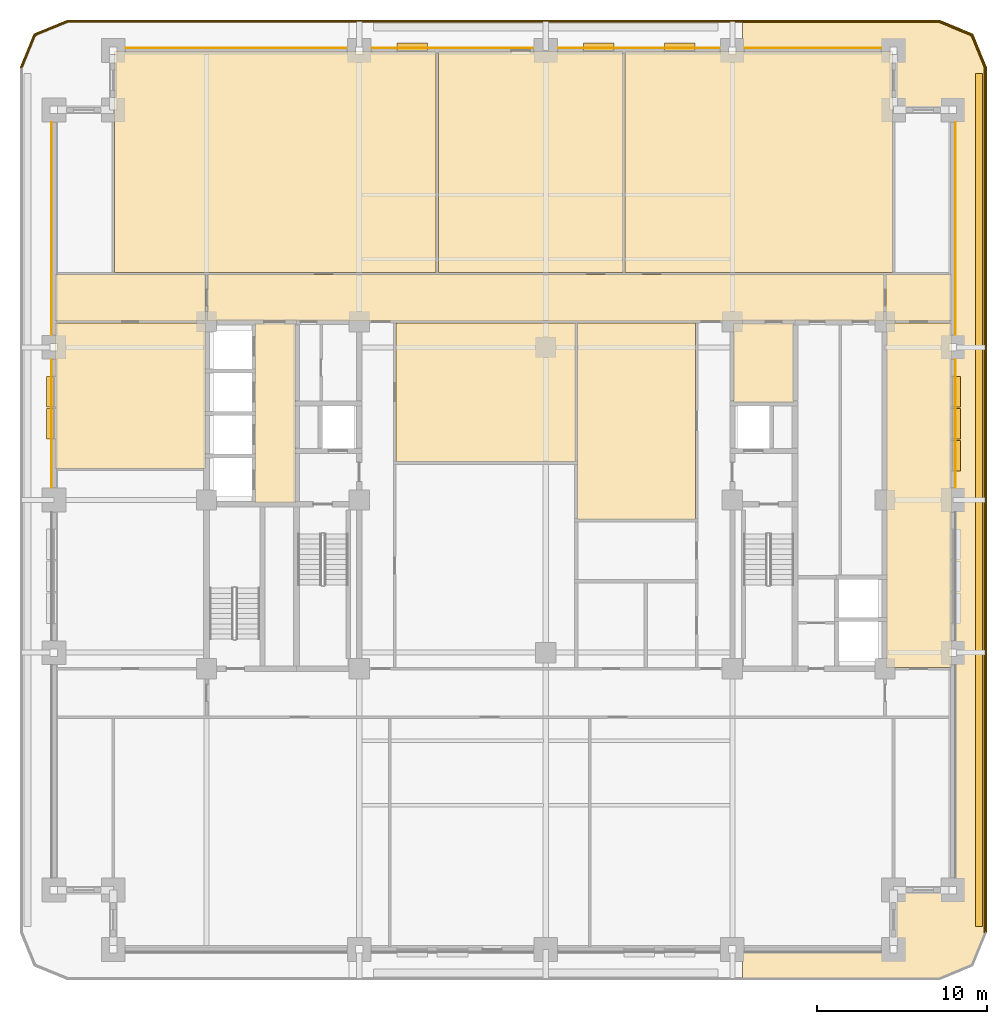
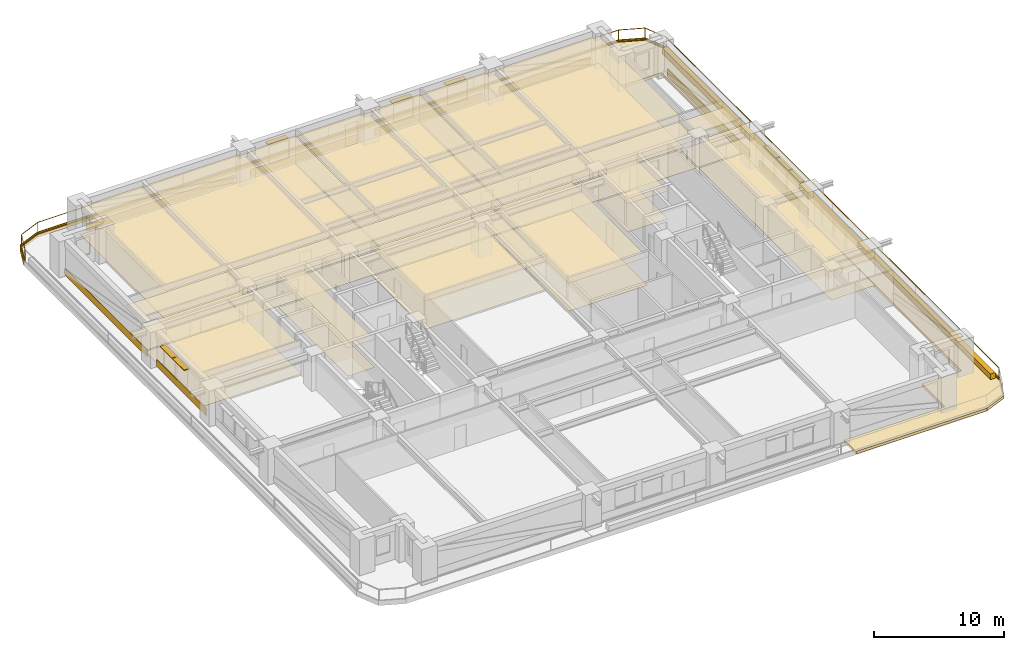
# One storey, part 14 of 14: 40 coverings, 8 shading devices, 2 railings.
"""IFC4 building model written with IfcOpenShell, lengths in metres."""

from ifc_helpers import new_model, si_unit, direction, frame, frame_2d, origin, origin_2d, place, context, subcontext, project, spatial, polyline, rectangle, outline, extrude, material, layer, layer_set, type_object, element, save


model = new_model("IFC4")

# Units and contexts
model_context = context("Model", 3, precision=1e-05, world=origin(), true_north=direction((0.0, 1.0)))
body_context = subcontext(model_context, "Body", "Model", "MODEL_VIEW")
ifc_project = project(units=[si_unit("LENGTHUNIT", "METRE"), si_unit("AREAUNIT", "SQUARE_METRE"), si_unit("VOLUMEUNIT", "CUBIC_METRE"), si_unit("PLANEANGLEUNIT", "RADIAN"), si_unit("MASSUNIT", "GRAM", prefix="KILO")], contexts=[model_context])

# Site, building, storey
site_placement = place(None, origin())
site = spatial("IfcSite", under=ifc_project, at=site_placement, CompositionType="ELEMENT")
building_placement = place(site_placement, origin())
building = spatial("IfcBuilding", under=site, at=building_placement, Name="Zulmaris Gate Convention Tower", CompositionType="ELEMENT")
storey_placement = place(building_placement, frame((0.0, 0.0, 64.329833984375)))
storey = spatial("IfcBuildingStorey", under=building, at=storey_placement, Name="L15", CompositionType="ELEMENT", Elevation=64.329833984375)

# Coverings
ifc_material_1 = material(Name="Precast concrete C40/50", Category="concrete")
ifc_layer_1 = layer(ifc_material_1, 0.0400390625, Name="Precast concrete C40/50")
ifc_layer_set_1 = layer_set([ifc_layer_1], Name="Precast concrete C40/50")
covering_type_1 = type_object("IfcCoveringType", Name="CLAD-SPANDREL-PRECAST", PredefinedType="CLADDING", material=ifc_layer_set_1)
covering_1_placement = place(storey_placement, frame((-11.72998046875, 26.64990234375, 0.0), z_axis=(0.0, 0.0, 1.0), x_axis=(-1.0, 0.0, 0.0)))
element("IfcCovering", 1, at=covering_1_placement, inside=storey, type_object=covering_type_1, Name="CLD-L15-N-0_0", PredefinedType="CLADDING", context=body_context, shape_type="SweptSolid", body=[
    extrude(rectangle(XDim=13.0400390625, YDim=0.0400390625, at=frame_2d((6.52001953125, 0.0))), origin(), (0.0, 0.0, 1.0), 0.679931640625),
])
for number, where, z_axis, x_axis, name in (
    (2, (-0.72998046875, 26.64990234375, 0.0), (0.0, 0.0, 1.0), (-1.0, 0.0, 0.0), "CLD-L15-N-1_0"),
    (3, (10.27001953125, 26.64990234375, 0.0), (0.0, 0.0, 1.0), (-1.0, 0.0, 0.0), "CLD-L15-N-2_0"),
):
    element("IfcCovering", number, at=place(storey_placement, frame(where, z_axis=z_axis, x_axis=x_axis)), inside=storey, type_object=covering_type_1, Name=name, PredefinedType="CLADDING", context=body_context, shape_type="SweptSolid", body=[
        extrude(rectangle(XDim=9.5400390625, YDim=0.0400390625, at=frame_2d((4.77001953125, 0.0))), origin(), (0.0, 0.0, 1.0), 0.679931640625),
    ])
covering_2_placement = place(storey_placement, frame((19.77001953125, 26.64990234375, 0.0), z_axis=(0.0, 0.0, 1.0), x_axis=(-1.0, 0.0, 0.0)))
element("IfcCovering", 4, at=covering_2_placement, inside=storey, type_object=covering_type_1, Name="CLD-L15-N-3_0", PredefinedType="CLADDING", context=body_context, shape_type="SweptSolid", body=[
    extrude(rectangle(XDim=8.0400390625, YDim=0.0400390625, at=frame_2d((4.02001953125, 0.0))), origin(), (0.0, 0.0, 1.0), 0.679931640625),
])
covering_3_placement = place(storey_placement, frame((24.14990234375, 0.72998046875, 0.0), z_axis=(0.0, 0.0, 1.0), x_axis=(0.0, 1.0, 0.0)))
element("IfcCovering", 5, at=covering_3_placement, inside=storey, type_object=covering_type_1, Name="CLD-L15-E-2_0", PredefinedType="CLADDING", context=body_context, shape_type="SweptSolid", body=[
    extrude(rectangle(XDim=7.5400390625, YDim=0.0400390625, at=frame_2d((3.77001953125, 0.0))), origin(), (0.0, 0.0, 1.0), 0.679931640625),
])
covering_4_placement = place(storey_placement, frame((24.14990234375, 9.72998046875, 0.0), z_axis=(0.0, 0.0, 1.0), x_axis=(0.0, 1.0, 0.0)))
element("IfcCovering", 6, at=covering_4_placement, inside=storey, type_object=covering_type_1, Name="CLD-L15-E-3_0", PredefinedType="CLADDING", context=body_context, shape_type="SweptSolid", body=[
    extrude(rectangle(XDim=12.5400390625, YDim=0.0400390625, at=frame_2d((6.27001953125, 0.0))), origin(), (0.0, 0.0, 1.0), 0.679931640625),
])
covering_5_placement = place(storey_placement, frame((-29.14990234375, 8.27001953125, 0.0), z_axis=(0.0, 0.0, 1.0), x_axis=(0.0, -1.0, 0.0)))
element("IfcCovering", 7, at=covering_5_placement, inside=storey, type_object=covering_type_1, Name="CLD-L15-W-2_0", PredefinedType="CLADDING", context=body_context, shape_type="SweptSolid", body=[
    extrude(rectangle(XDim=7.5400390625, YDim=0.0400390625, at=frame_2d((3.77001953125, 0.0))), origin(), (0.0, 0.0, 1.0), 0.679931640625),
])
covering_6_placement = place(storey_placement, frame((-29.14990234375, 22.27001953125, 0.0), z_axis=(0.0, 0.0, 1.0), x_axis=(0.0, -1.0, 0.0)))
element("IfcCovering", 8, at=covering_6_placement, inside=storey, type_object=covering_type_1, Name="CLD-L15-W-3_0", PredefinedType="CLADDING", context=body_context, shape_type="SweptSolid", body=[
    extrude(rectangle(XDim=12.5400390625, YDim=0.0400390625, at=frame_2d((6.27001953125, 0.0))), origin(), (0.0, 0.0, 1.0), 0.679931640625),
])
ifc_material_2 = material(Name="White Glazed Architectural Precast Concrete C40/50", Category="concrete")
ifc_layer_2 = layer(ifc_material_2, 0.239990234375, Name="White Glazed Architectural Precast Concrete C40/50")
ifc_layer_set_2 = layer_set([ifc_layer_2], Name="White Glazed Architectural Precast Concrete C40/50")
covering_type_2 = type_object("IfcCoveringType", Name="CLAD-TRAY-DECK", PredefinedType="CLADDING", material=ifc_layer_set_2)
covering_7_placement = place(storey_placement, frame((0.0, 0.0, -0.300048828125)))
element("IfcCovering", 9, at=covering_7_placement, inside=storey, type_object=covering_type_2, Name="L15 East Rounded-Fascia Planter Tray Deck", PredefinedType="CLADDING", context=body_context, shape_type="SweptSolid", body=[
    extrude(outline(polyline([(23.199951171875, 28.300048828125), (25.179931640625, 27.47998046875), (26.0, 25.5), (26.0, -25.5), (25.179931640625, -27.47998046875), (23.199951171875, -28.300048828125), (11.60205078125, -28.300048828125), (11.60205078125, -26.5), (20.5, -26.5), (20.5, -23.0), (24.0, -23.0), (24.0, 23.0), (20.5, 23.0), (20.5, 26.5), (11.60205078125, 26.5), (11.60205078125, 28.300048828125), (23.199951171875, 28.300048828125)])), origin(), (0.0, 0.0, 1.0), 0.260009765625),
])
ifc_layer_3 = layer(ifc_material_2, 0.080078125, Name="White Glazed Architectural Precast Concrete C40/50")
ifc_layer_set_3 = layer_set([ifc_layer_3], Name="White Glazed Architectural Precast Concrete C40/50")
covering_type_3 = type_object("IfcCoveringType", Name="CLAD-TRAY-FASCIA", PredefinedType="CLADDING", material=ifc_layer_set_3)
covering_8_placement = place(storey_placement, frame((25.9599609375, -25.5, -0.340087890625), z_axis=(0.0, 0.0, 1.0), x_axis=(0.0, 1.0, 0.0)))
element("IfcCovering", 10, at=covering_8_placement, inside=storey, type_object=covering_type_3, Name="FSC-L15-TR-05", PredefinedType="CLADDING", context=body_context, shape_type="SweptSolid", body=[
    extrude(rectangle(XDim=51.0, YDim=0.080078125, at=frame_2d((25.5, 0.0))), origin(), (0.0, 0.0, 1.0), 0.4599609375),
])
covering_9_placement = place(storey_placement, frame((25.962890625, 25.484619140625, -0.340087890625), z_axis=(0.0, 0.0, 1.0), x_axis=(-0.382656984709, 0.923890487046, 0.0)))
element("IfcCovering", 11, at=covering_9_placement, inside=storey, type_object=covering_type_3, Name="FSC-L15-TR-06", PredefinedType="CLADDING", context=body_context, shape_type="SweptSolid", body=[
    extrude(rectangle(XDim=2.14306640625, YDim=0.080078125, at=frame_2d((1.071533203125, 0.0))), origin(), (0.0, 0.0, 1.0), 0.4599609375),
])
covering_10_placement = place(storey_placement, frame((25.16455078125, 27.44287109375, -0.340087890625), z_axis=(0.0, 0.0, 1.0), x_axis=(-0.923873803533, 0.382697263049, 0.0)))
element("IfcCovering", 12, at=covering_10_placement, inside=storey, type_object=covering_type_3, Name="FSC-L15-TR-07", PredefinedType="CLADDING", context=body_context, shape_type="SweptSolid", body=[
    extrude(rectangle(XDim=2.142822265625, YDim=0.080078125, at=frame_2d((1.0712890625, 0.0))), origin(), (0.0, 0.0, 1.0), 0.4599609375),
])
covering_11_placement = place(storey_placement, frame((23.199951171875, 28.260009765625, -0.340087890625), z_axis=(0.0, 0.0, 1.0), x_axis=(-1.0, 0.0, 0.0)))
element("IfcCovering", 13, at=covering_11_placement, inside=storey, type_object=covering_type_3, Name="FSC-L15-TR-08", PredefinedType="CLADDING", context=body_context, shape_type="SweptSolid", body=[
    extrude(rectangle(XDim=51.39990234375, YDim=0.080078125, at=frame_2d((25.699951171875, 0.0))), origin(), (0.0, 0.0, 1.0), 0.4599609375),
])
covering_12_placement = place(storey_placement, frame((-28.184814453125, 28.262939453125, -0.340087890625), z_axis=(0.0, 0.0, 1.0), x_axis=(-0.923873803533, -0.382697263049, 0.0)))
element("IfcCovering", 14, at=covering_12_placement, inside=storey, type_object=covering_type_3, Name="FSC-L15-TR-09", PredefinedType="CLADDING", context=body_context, shape_type="SweptSolid", body=[
    extrude(rectangle(XDim=2.142822265625, YDim=0.080078125, at=frame_2d((1.0712890625, 0.0))), origin(), (0.0, 0.0, 1.0), 0.4599609375),
])
covering_13_placement = place(storey_placement, frame((-30.142822265625, 27.464599609375, -0.340087890625), z_axis=(0.0, 0.0, 1.0), x_axis=(-0.382656984709, -0.923890487046, 0.0)))
element("IfcCovering", 15, at=covering_13_placement, inside=storey, type_object=covering_type_3, Name="FSC-L15-TR-10", PredefinedType="CLADDING", context=body_context, shape_type="SweptSolid", body=[
    extrude(rectangle(XDim=2.14306640625, YDim=0.080078125, at=frame_2d((1.071533203125, 0.0))), origin(), (0.0, 0.0, 1.0), 0.4599609375),
])
ifc_material_3 = material(Name="Mineral Fibre Acoustic Ceiling Tile")
ifc_layer_4 = layer(ifc_material_3, 0.02001953125, Name="Mineral Fibre Acoustic Ceiling Tile")
ifc_layer_set_4 = layer_set([ifc_layer_4], Name="Mineral Fibre Acoustic Ceiling Tile")
covering_type_4 = type_object("IfcCoveringType", Name="CLG-ACOUSTIC-600", PredefinedType="CEILING", material=ifc_layer_set_4)
covering_14_placement = place(storey_placement, frame((0.0, 0.0, 2.628173828125)))
element("IfcCovering", 16, at=covering_14_placement, inside=storey, type_object=covering_type_4, Name="CLG-L15-R13", PredefinedType="CEILING", context=body_context, shape_type="SweptSolid", body=[
    extrude(outline(polyline([(11.06005859375, 5.760009765625), (14.639892578125, 5.760009765625), (14.639892578125, 10.43994140625), (11.06005859375, 10.43994140625), (11.06005859375, 5.760009765625)])), origin(), (0.0, 0.0, 1.0), 0.019775390625),
])
covering_15_placement = place(storey_placement, frame((0.0, 0.0, 2.628173828125)))
element("IfcCovering", 17, at=covering_15_placement, inside=storey, type_object=covering_type_4, Name="CLG-L15-R16", PredefinedType="CEILING", context=body_context, shape_type="SweptSolid", body=[
    extrude(outline(polyline([(-17.139892578125, -0.18994140625), (-14.760009765625, -0.18994140625), (-14.760009765625, 10.43994140625), (-17.139892578125, 10.43994140625), (-17.139892578125, -0.18994140625)])), origin(), (0.0, 0.0, 1.0), 0.019775390625),
])
covering_16_placement = place(storey_placement, frame((0.0, 0.0, 2.628173828125)))
element("IfcCovering", 18, at=covering_16_placement, inside=storey, type_object=covering_type_4, Name="CLG-L15-R29", PredefinedType="CEILING", context=body_context, shape_type="SweptSolid", body=[
    extrude(outline(polyline([(-19.93994140625, 10.56005859375), (19.93994140625, 10.56005859375), (19.93994140625, 13.2900390625), (-19.93994140625, 13.2900390625), (-19.93994140625, 10.56005859375)])), origin(), (0.0, 0.0, 1.0), 0.019775390625),
])
covering_17_placement = place(storey_placement, frame((0.0, 0.0, 2.628173828125)))
element("IfcCovering", 19, at=covering_17_placement, inside=storey, type_object=covering_type_4, Name="CLG-L15-R33", PredefinedType="CEILING", context=body_context, shape_type="SweptSolid", body=[
    extrude(outline(polyline([(-25.43994140625, 13.409912109375), (-6.4599609375, 13.409912109375), (-6.4599609375, 26.43994140625), (-25.43994140625, 26.43994140625), (-25.43994140625, 13.409912109375)])), origin(), (0.0, 0.0, 1.0), 0.019775390625),
])
covering_18_placement = place(storey_placement, frame((0.0, 0.0, 2.628173828125)))
element("IfcCovering", 20, at=covering_18_placement, inside=storey, type_object=covering_type_4, Name="CLG-L15-R34", PredefinedType="CEILING", context=body_context, shape_type="SweptSolid", body=[
    extrude(outline(polyline([(-6.340087890625, 13.409912109375), (4.5400390625, 13.409912109375), (4.5400390625, 26.43994140625), (-6.340087890625, 26.43994140625), (-6.340087890625, 13.409912109375)])), origin(), (0.0, 0.0, 1.0), 0.019775390625),
])
covering_19_placement = place(storey_placement, frame((0.0, 0.0, 2.628173828125)))
element("IfcCovering", 21, at=covering_19_placement, inside=storey, type_object=covering_type_4, Name="CLG-L15-R35", PredefinedType="CEILING", context=body_context, shape_type="SweptSolid", body=[
    extrude(outline(polyline([(4.659912109375, 13.409912109375), (20.43994140625, 13.409912109375), (20.43994140625, 26.43994140625), (4.659912109375, 26.43994140625), (4.659912109375, 13.409912109375)])), origin(), (0.0, 0.0, 1.0), 0.019775390625),
])
covering_20_placement = place(storey_placement, frame((0.0, 0.0, 2.628173828125)))
element("IfcCovering", 22, at=covering_20_placement, inside=storey, type_object=covering_type_4, Name="CLG-L15-R39", PredefinedType="CEILING", context=body_context, shape_type="SweptSolid", body=[
    extrude(outline(polyline([(-8.840087890625, 2.260009765625), (1.739990234375, 2.260009765625), (1.739990234375, 10.43994140625), (-8.840087890625, 10.43994140625), (-8.840087890625, 2.260009765625)])), origin(), (0.0, 0.0, 1.0), 0.019775390625),
])
covering_21_placement = place(storey_placement, frame((0.0, 0.0, 2.628173828125)))
element("IfcCovering", 23, at=covering_21_placement, inside=storey, type_object=covering_type_4, Name="CLG-L15-R41", PredefinedType="CEILING", context=body_context, shape_type="SweptSolid", body=[
    extrude(outline(polyline([(1.860107421875, -1.139892578125), (8.840087890625, -1.139892578125), (8.840087890625, 10.43994140625), (1.860107421875, 10.43994140625), (1.860107421875, -1.139892578125)])), origin(), (0.0, 0.0, 1.0), 0.019775390625),
])
covering_22_placement = place(storey_placement, frame((0.0, 0.0, 2.628173828125)))
element("IfcCovering", 24, at=covering_22_placement, inside=storey, type_object=covering_type_4, Name="CLG-L15-R45", PredefinedType="CEILING", context=body_context, shape_type="SweptSolid", body=[
    extrude(outline(polyline([(-28.93994140625, 10.56005859375), (-20.06005859375, 10.56005859375), (-20.06005859375, 13.2900390625), (-28.93994140625, 13.2900390625), (-28.93994140625, 10.56005859375)])), origin(), (0.0, 0.0, 1.0), 0.019775390625),
])
covering_23_placement = place(storey_placement, frame((0.0, 0.0, 2.628173828125)))
element("IfcCovering", 25, at=covering_23_placement, inside=storey, type_object=covering_type_4, Name="CLG-L15-R47", PredefinedType="CEILING", context=body_context, shape_type="SweptSolid", body=[
    extrude(outline(polyline([(-28.93994140625, 1.860107421875), (-20.06005859375, 1.860107421875), (-20.06005859375, 10.43994140625), (-28.93994140625, 10.43994140625), (-28.93994140625, 1.860107421875)])), origin(), (0.0, 0.0, 1.0), 0.019775390625),
])
covering_24_placement = place(storey_placement, frame((0.0, 0.0, 2.628173828125)))
element("IfcCovering", 26, at=covering_24_placement, inside=storey, type_object=covering_type_4, Name="CLG-L15-R49", PredefinedType="CEILING", context=body_context, shape_type="SweptSolid", body=[
    extrude(outline(polyline([(20.06005859375, 10.56005859375), (23.93994140625, 10.56005859375), (23.93994140625, 13.2900390625), (20.06005859375, 13.2900390625), (20.06005859375, 10.56005859375)])), origin(), (0.0, 0.0, 1.0), 0.019775390625),
])
covering_25_placement = place(storey_placement, frame((0.0, 0.0, 2.628173828125)))
element("IfcCovering", 27, at=covering_25_placement, inside=storey, type_object=covering_type_4, Name="CLG-L15-R51", PredefinedType="CEILING", context=body_context, shape_type="SweptSolid", body=[
    extrude(outline(polyline([(20.06005859375, -9.889892578125), (23.93994140625, -9.889892578125), (23.93994140625, 10.43994140625), (20.06005859375, 10.43994140625), (20.06005859375, -9.889892578125)])), origin(), (0.0, 0.0, 1.0), 0.019775390625),
])
ifc_material_4 = material(Name="Woven Acoustic Wool Carpet Tile")
ifc_layer_5 = layer(ifc_material_4, 0.02001953125, Name="Woven Acoustic Wool Carpet Tile")
ifc_layer_set_5 = layer_set([ifc_layer_5], Name="Woven Acoustic Wool Carpet Tile")
covering_type_5 = type_object("IfcCoveringType", Name="FLR-CARPET-12", PredefinedType="FLOORING", material=ifc_layer_set_5)
covering_26_placement = place(storey_placement, origin())
element("IfcCovering", 28, at=covering_26_placement, inside=storey, type_object=covering_type_5, Name="FLR-L15-R13", PredefinedType="FLOORING", context=body_context, shape_type="SweptSolid", body=[
    extrude(outline(polyline([(11.06005859375, 5.760009765625), (14.639892578125, 5.760009765625), (14.639892578125, 10.43994140625), (11.06005859375, 10.43994140625), (11.06005859375, 5.760009765625)])), origin(), (0.0, 0.0, 1.0), 0.02001953125),
])
covering_27_placement = place(storey_placement, origin())
element("IfcCovering", 29, at=covering_27_placement, inside=storey, type_object=covering_type_5, Name="FLR-L15-R16", PredefinedType="FLOORING", context=body_context, shape_type="SweptSolid", body=[
    extrude(outline(polyline([(-17.139892578125, -0.18994140625), (-14.760009765625, -0.18994140625), (-14.760009765625, 10.43994140625), (-17.139892578125, 10.43994140625), (-17.139892578125, -0.18994140625)])), origin(), (0.0, 0.0, 1.0), 0.02001953125),
])
covering_28_placement = place(storey_placement, origin())
element("IfcCovering", 30, at=covering_28_placement, inside=storey, type_object=covering_type_5, Name="FLR-L15-R29", PredefinedType="FLOORING", context=body_context, shape_type="SweptSolid", body=[
    extrude(outline(polyline([(-19.93994140625, 10.56005859375), (19.93994140625, 10.56005859375), (19.93994140625, 13.2900390625), (-19.93994140625, 13.2900390625), (-19.93994140625, 10.56005859375)])), origin(), (0.0, 0.0, 1.0), 0.02001953125),
])
covering_29_placement = place(storey_placement, origin())
element("IfcCovering", 31, at=covering_29_placement, inside=storey, type_object=covering_type_5, Name="FLR-L15-R33", PredefinedType="FLOORING", context=body_context, shape_type="SweptSolid", body=[
    extrude(outline(polyline([(-25.43994140625, 13.409912109375), (-6.4599609375, 13.409912109375), (-6.4599609375, 26.43994140625), (-25.43994140625, 26.43994140625), (-25.43994140625, 13.409912109375)])), origin(), (0.0, 0.0, 1.0), 0.02001953125),
])
covering_30_placement = place(storey_placement, origin())
element("IfcCovering", 32, at=covering_30_placement, inside=storey, type_object=covering_type_5, Name="FLR-L15-R34", PredefinedType="FLOORING", context=body_context, shape_type="SweptSolid", body=[
    extrude(outline(polyline([(-6.340087890625, 13.409912109375), (4.5400390625, 13.409912109375), (4.5400390625, 26.43994140625), (-6.340087890625, 26.43994140625), (-6.340087890625, 13.409912109375)])), origin(), (0.0, 0.0, 1.0), 0.02001953125),
])
covering_31_placement = place(storey_placement, origin())
element("IfcCovering", 33, at=covering_31_placement, inside=storey, type_object=covering_type_5, Name="FLR-L15-R35", PredefinedType="FLOORING", context=body_context, shape_type="SweptSolid", body=[
    extrude(outline(polyline([(4.659912109375, 13.409912109375), (20.43994140625, 13.409912109375), (20.43994140625, 26.43994140625), (4.659912109375, 26.43994140625), (4.659912109375, 13.409912109375)])), origin(), (0.0, 0.0, 1.0), 0.02001953125),
])
covering_32_placement = place(storey_placement, origin())
element("IfcCovering", 34, at=covering_32_placement, inside=storey, type_object=covering_type_5, Name="FLR-L15-R41", PredefinedType="FLOORING", context=body_context, shape_type="SweptSolid", body=[
    extrude(outline(polyline([(1.860107421875, -1.139892578125), (8.840087890625, -1.139892578125), (8.840087890625, 10.43994140625), (1.860107421875, 10.43994140625), (1.860107421875, -1.139892578125)])), origin(), (0.0, 0.0, 1.0), 0.02001953125),
])
covering_33_placement = place(storey_placement, origin())
element("IfcCovering", 35, at=covering_33_placement, inside=storey, type_object=covering_type_5, Name="FLR-L15-R45", PredefinedType="FLOORING", context=body_context, shape_type="SweptSolid", body=[
    extrude(outline(polyline([(-28.93994140625, 10.56005859375), (-20.06005859375, 10.56005859375), (-20.06005859375, 13.2900390625), (-28.93994140625, 13.2900390625), (-28.93994140625, 10.56005859375)])), origin(), (0.0, 0.0, 1.0), 0.02001953125),
])
covering_34_placement = place(storey_placement, origin())
element("IfcCovering", 36, at=covering_34_placement, inside=storey, type_object=covering_type_5, Name="FLR-L15-R47", PredefinedType="FLOORING", context=body_context, shape_type="SweptSolid", body=[
    extrude(outline(polyline([(-28.93994140625, 1.860107421875), (-20.06005859375, 1.860107421875), (-20.06005859375, 10.43994140625), (-28.93994140625, 10.43994140625), (-28.93994140625, 1.860107421875)])), origin(), (0.0, 0.0, 1.0), 0.02001953125),
])
covering_35_placement = place(storey_placement, origin())
element("IfcCovering", 37, at=covering_35_placement, inside=storey, type_object=covering_type_5, Name="FLR-L15-R49", PredefinedType="FLOORING", context=body_context, shape_type="SweptSolid", body=[
    extrude(outline(polyline([(20.06005859375, 10.56005859375), (23.93994140625, 10.56005859375), (23.93994140625, 13.2900390625), (20.06005859375, 13.2900390625), (20.06005859375, 10.56005859375)])), origin(), (0.0, 0.0, 1.0), 0.02001953125),
])
covering_36_placement = place(storey_placement, origin())
element("IfcCovering", 38, at=covering_36_placement, inside=storey, type_object=covering_type_5, Name="FLR-L15-R51", PredefinedType="FLOORING", context=body_context, shape_type="SweptSolid", body=[
    extrude(outline(polyline([(20.06005859375, -9.889892578125), (23.93994140625, -9.889892578125), (23.93994140625, 10.43994140625), (20.06005859375, 10.43994140625), (20.06005859375, -9.889892578125)])), origin(), (0.0, 0.0, 1.0), 0.02001953125),
])
ifc_material_5 = material(Name="Engineered Teak Parquet Flooring")
ifc_layer_6 = layer(ifc_material_5, 0.02001953125, Name="Engineered Teak Parquet Flooring")
ifc_layer_set_6 = layer_set([ifc_layer_6], Name="Engineered Teak Parquet Flooring")
covering_type_6 = type_object("IfcCoveringType", Name="FLR-TIMBER-18", PredefinedType="FLOORING", material=ifc_layer_set_6)
covering_37_placement = place(storey_placement, origin())
element("IfcCovering", 39, at=covering_37_placement, inside=storey, type_object=covering_type_6, Name="FLR-L15-R39", PredefinedType="FLOORING", context=body_context, shape_type="SweptSolid", body=[
    extrude(outline(polyline([(-8.840087890625, 2.260009765625), (1.739990234375, 2.260009765625), (1.739990234375, 10.43994140625), (-8.840087890625, 10.43994140625), (-8.840087890625, 2.260009765625)])), origin(), (0.0, 0.0, 1.0), 0.02001953125),
])
ifc_material_6 = material(Name="Botanical Green Glazed Precast Concrete C40/50", Category="concrete")
ifc_layer_7 = layer(ifc_material_6, 0.419921875, Name="Botanical Green Glazed Precast Concrete C40/50")
ifc_layer_set_7 = layer_set([ifc_layer_7], Name="Botanical Green Glazed Precast Concrete C40/50")
covering_type_7 = type_object("IfcCoveringType", Name="PLANTER-BOX-200", PredefinedType="CLADDING", material=ifc_layer_set_7)
covering_38_placement = place(storey_placement, frame((0.0, 0.0, -0.0400390625)))
element("IfcCovering", 40, at=covering_38_placement, inside=storey, type_object=covering_type_7, Name="L15 E Full-Length Balcony Tree Planter Trough", PredefinedType="CLADDING", context=body_context, shape_type="SweptSolid", body=[
    extrude(outline(polyline([(25.340087890625, -25.14990234375), (25.760009765625, -25.14990234375), (25.760009765625, 25.14990234375), (25.340087890625, 25.14990234375), (25.340087890625, -25.14990234375)])), origin(), (0.0, 0.0, 1.0), 0.52001953125),
])

# Railings
ifc_material_7 = material(Name="Laminated Glass and Stainless Steel", Category="steel")
railing_type = type_object("IfcRailingType", Name="RL-BALC-1150", PredefinedType="BALUSTRADE", material=ifc_material_7)
railing_1_placement = place(storey_placement, frame((25.8798828125, -25.5, -0.0400390625)))
element("IfcRailing", 41, at=railing_1_placement, inside=storey, type_object=railing_type, Name="RL-L15-BALC-E", PredefinedType="BALUSTRADE", context=body_context, shape_type="SweptSolid", body=[
    extrude(rectangle(XDim=0.048095703125, YDim=0.048095703125, at=origin_2d()), frame((0.0, 0.0, 1.1259765625), z_axis=(0.0, 1.0, 0.0), x_axis=(-1.0, 0.0, 0.0)), (0.0, 0.0, 1.0), 51.0),
    extrude(rectangle(XDim=0.048095703125, YDim=0.048095703125, at=origin_2d()), frame((0.0, 0.0, 0.02392578125), z_axis=(0.0, 1.0, 0.0), x_axis=(-1.0, 0.0, 0.0)), (0.0, 0.0, 1.0), 51.0),
    extrude(rectangle(XDim=0.0419921875, YDim=0.0419921875, at=origin_2d()), origin(), (0.0, 0.0, 1.0), 1.101806640625),
    extrude(rectangle(XDim=0.0419921875, YDim=0.0419921875, at=origin_2d()), frame((0.0, 12.75, 0.0)), (0.0, 0.0, 1.0), 1.101806640625),
    extrude(rectangle(XDim=0.0419921875, YDim=0.0419921875, at=origin_2d()), frame((0.0, 25.5, 0.0)), (0.0, 0.0, 1.0), 1.101806640625),
    extrude(rectangle(XDim=0.0419921875, YDim=0.0419921875, at=origin_2d()), frame((0.0, 38.25, 0.0)), (0.0, 0.0, 1.0), 1.101806640625),
    extrude(rectangle(XDim=0.0419921875, YDim=0.0419921875, at=origin_2d()), frame((0.0, 51.0, 0.0)), (0.0, 0.0, 1.0), 1.101806640625),
])
railing_2_placement = place(storey_placement, frame((25.8798828125, 25.5, -0.0400390625)))
element("IfcRailing", 42, at=railing_2_placement, inside=storey, type_object=railing_type, Name="RL-L15-BALC-N", PredefinedType="BALUSTRADE", context=body_context, shape_type="SweptSolid", body=[
    extrude(rectangle(XDim=0.048095703125, YDim=0.048095703125, at=origin_2d()), frame((0.0, 0.0, 1.1259765625), z_axis=(-0.382670664694, 0.92388482095, 0.0), x_axis=(-0.92388482095, -0.382670664694, 0.0)), (0.0, 0.0, 1.0), 2.051025390625),
    extrude(rectangle(XDim=0.048095703125, YDim=0.048095703125, at=origin_2d()), frame((0.0, 0.0, 0.02392578125), z_axis=(-0.382670664694, 0.92388482095, 0.0), x_axis=(-0.92388482095, -0.382670664694, 0.0)), (0.0, 0.0, 1.0), 2.051025390625),
    extrude(rectangle(XDim=0.048095703125, YDim=0.048095703125, at=origin_2d()), frame((-0.784912109375, 1.89501953125, 1.1259765625), z_axis=(-0.92388482095, 0.382670664694, 0.0), x_axis=(-0.382670664694, -0.92388482095, 0.0)), (0.0, 0.0, 1.0), 2.051025390625),
    extrude(rectangle(XDim=0.048095703125, YDim=0.048095703125, at=origin_2d()), frame((-0.784912109375, 1.89501953125, 0.02392578125), z_axis=(-0.92388482095, 0.382670664694, 0.0), x_axis=(-0.382670664694, -0.92388482095, 0.0)), (0.0, 0.0, 1.0), 2.051025390625),
    extrude(rectangle(XDim=0.048095703125, YDim=0.048095703125, at=origin_2d()), frame((-2.679931640625, 2.679931640625, 1.1259765625), z_axis=(-1.0, 0.0, 0.0), x_axis=(0.0, -1.0, 0.0)), (0.0, 0.0, 1.0), 51.39990234375),
    extrude(rectangle(XDim=0.048095703125, YDim=0.048095703125, at=origin_2d()), frame((-2.679931640625, 2.679931640625, 0.02392578125), z_axis=(-1.0, 0.0, 0.0), x_axis=(0.0, -1.0, 0.0)), (0.0, 0.0, 1.0), 51.39990234375),
    extrude(rectangle(XDim=0.048095703125, YDim=0.048095703125, at=origin_2d()), frame((-54.079833984375, 2.679931640625, 1.1259765625), z_axis=(-0.92388482095, -0.382670664694, 0.0), x_axis=(0.382670664694, -0.92388482095, 0.0)), (0.0, 0.0, 1.0), 2.051025390625),
    extrude(rectangle(XDim=0.048095703125, YDim=0.048095703125, at=origin_2d()), frame((-54.079833984375, 2.679931640625, 0.02392578125), z_axis=(-0.92388482095, -0.382670664694, 0.0), x_axis=(0.382670664694, -0.92388482095, 0.0)), (0.0, 0.0, 1.0), 2.051025390625),
    extrude(rectangle(XDim=0.048095703125, YDim=0.048095703125, at=origin_2d()), frame((-55.974853515625, 1.89501953125, 1.1259765625), z_axis=(-0.382670664694, -0.92388482095, 0.0), x_axis=(0.92388482095, -0.382670664694, 0.0)), (0.0, 0.0, 1.0), 2.051025390625),
    extrude(rectangle(XDim=0.048095703125, YDim=0.048095703125, at=origin_2d()), frame((-55.974853515625, 1.89501953125, 0.02392578125), z_axis=(-0.382670664694, -0.92388482095, 0.0), x_axis=(0.92388482095, -0.382670664694, 0.0)), (0.0, 0.0, 1.0), 2.051025390625),
    extrude(rectangle(XDim=0.0419921875, YDim=0.0419921875, at=origin_2d()), origin(), (0.0, 0.0, 1.0), 1.101806640625),
    extrude(rectangle(XDim=0.0419921875, YDim=0.0419921875, at=origin_2d()), frame((-0.784912109375, 1.89501953125, 0.0)), (0.0, 0.0, 1.0), 1.101806640625),
    extrude(rectangle(XDim=0.0419921875, YDim=0.0419921875, at=origin_2d()), frame((-2.679931640625, 2.679931640625, 0.0)), (0.0, 0.0, 1.0), 1.101806640625),
    extrude(rectangle(XDim=0.0419921875, YDim=0.0419921875, at=origin_2d()), frame((-15.52978515625, 2.679931640625, 0.0)), (0.0, 0.0, 1.0), 1.101806640625),
    extrude(rectangle(XDim=0.0419921875, YDim=0.0419921875, at=origin_2d()), frame((-28.3798828125, 2.679931640625, 0.0)), (0.0, 0.0, 1.0), 1.101806640625),
    extrude(rectangle(XDim=0.0419921875, YDim=0.0419921875, at=origin_2d()), frame((-41.22998046875, 2.679931640625, 0.0)), (0.0, 0.0, 1.0), 1.101806640625),
    extrude(rectangle(XDim=0.0419921875, YDim=0.0419921875, at=origin_2d()), frame((-54.079833984375, 2.679931640625, 0.0)), (0.0, 0.0, 1.0), 1.101806640625),
    extrude(rectangle(XDim=0.0419921875, YDim=0.0419921875, at=origin_2d()), frame((-55.974853515625, 1.89501953125, 0.0)), (0.0, 0.0, 1.0), 1.101806640625),
    extrude(rectangle(XDim=0.0419921875, YDim=0.0419921875, at=origin_2d()), frame((-56.759765625, 0.0, 0.0)), (0.0, 0.0, 1.0), 1.101806640625),
])

# Shading devices
ifc_material_8 = material(Name="Glazed Ceramic Terracotta", Category="masonry")
ifc_layer_8 = layer(ifc_material_8, 0.070068359375, Name="Glazed Ceramic Terracotta")
ifc_layer_set_8 = layer_set([ifc_layer_8], Name="Glazed Ceramic Terracotta")
shading_device_type = type_object("IfcShadingDeviceType", Name="SHD-SUNSHADE-TC", PredefinedType="AWNING", material=ifc_layer_set_8)
for number, where, z_axis, x_axis, name in (
    (43, (-6.985107421875, 26.719970703125, 2.530029296875), (0.0, 0.0, 1.0), (-1.0, 0.0, 0.0), "SHD-EW-L15-N-1_0-3"),
    (44, (8.784912109375, 26.719970703125, 2.530029296875), (0.0, 0.0, 1.0), (-1.0, 0.0, 0.0), "SHD-EW-L15-N-2_0-1"),
    (45, (4.014892578125, 26.719970703125, 2.530029296875), (0.0, 0.0, 1.0), (-1.0, 0.0, 0.0), "SHD-EW-L15-N-2_0-3"),
    (46, (24.219970703125, 1.715087890625, 2.530029296875), (0.0, 0.0, 1.0), (0.0, 1.0, 0.0), "SHD-EW-L15-E-2_0-1"),
    (47, (24.219970703125, 3.60009765625, 2.530029296875), (0.0, 0.0, 1.0), (0.0, 1.0, 0.0), "SHD-EW-L15-E-2_0-2"),
    (48, (24.219970703125, 5.485107421875, 2.530029296875), (0.0, 0.0, 1.0), (0.0, 1.0, 0.0), "SHD-EW-L15-E-2_0-3"),
    (49, (-29.219970703125, 7.284912109375, 2.530029296875), (0.0, 0.0, 1.0), (0.0, -1.0, 0.0), "SHD-EW-L15-W-2_0-1"),
    (50, (-29.219970703125, 5.39990234375, 2.530029296875), (0.0, 0.0, 1.0), (0.0, -1.0, 0.0), "SHD-EW-L15-W-2_0-2"),
):
    element("IfcShadingDevice", number, at=place(storey_placement, frame(where, z_axis=z_axis, x_axis=x_axis)), inside=storey, type_object=shading_device_type, Name=name, PredefinedType="AWNING", context=body_context, shape_type="SweptSolid", body=[
        extrude(rectangle(XDim=1.7998046875, YDim=0.43994140625, at=frame_2d((0.89990234375, 0.0))), origin(), (0.0, 0.0, 1.0), 0.06982421875),
    ])

save(model, "model.ifc")
